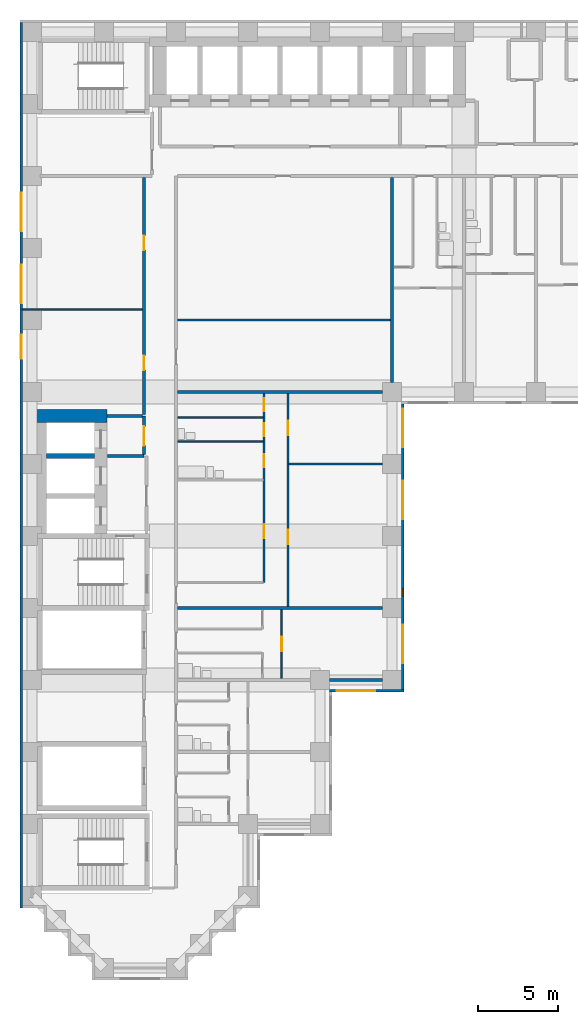
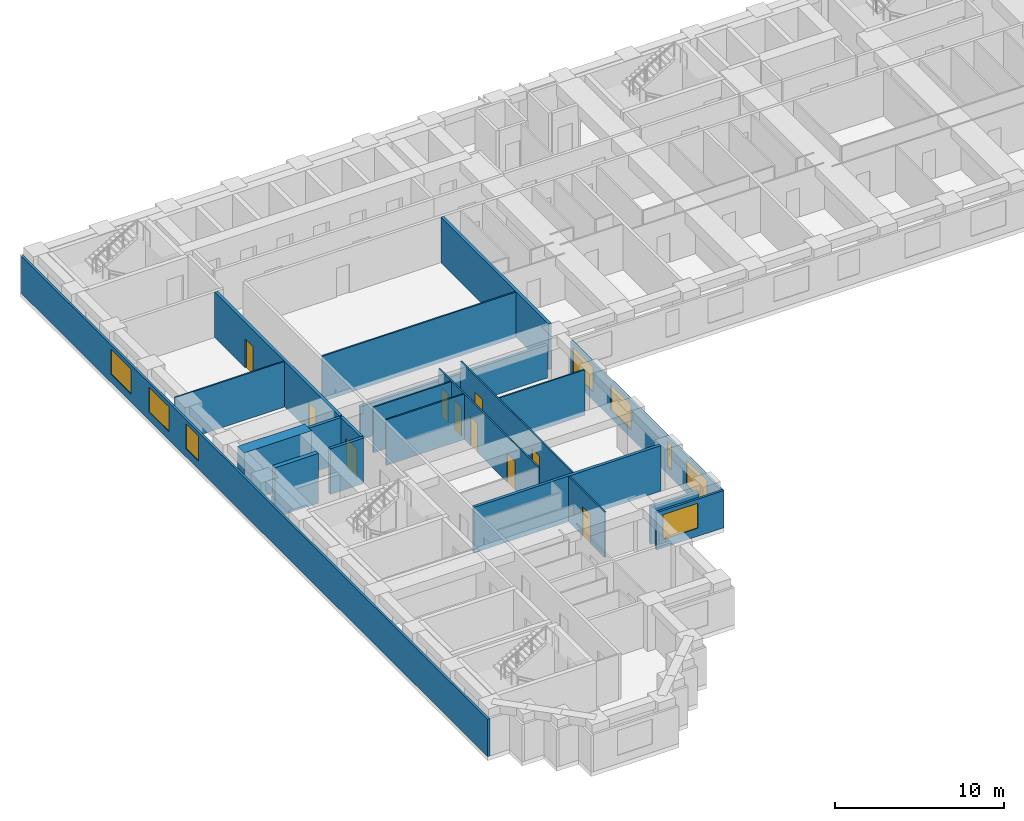
# One storey, part 4 of 12: 21 walls, 10 doors, 8 windows, 18 openings.
"""IFC4 building model written with IfcOpenShell, lengths in metres."""

import ifcopenshell
import ifcopenshell.guid

model = None  # the IFC model being written
_history = None  # IfcOwnerHistory: only IFC2X3 demands one
_inside = {}  # id of a spatial element -> (the spatial element, [elements in it])
_under = {}  # id of a project, library or spatial element -> (it, [spatial elements below it])
_declared = {}  # id of a project -> (the project, [libraries it declares])
_typed = {}  # id of a type object -> (the type object, [elements of that type])
_made_of = {}  # id of a material, layer set ... -> (it, [elements and type objects made of it])


def new_model(schema):
    """Start an empty IFC model of exactly this schema.

    Asked for "IFC4X3", IfcOpenShell would pick the latest addendum, in which some entities
    have other attributes; the version numbers below select the first issue.
    IFC2X3 requires an IfcOwnerHistory on every rooted entity: one is made here for all.
    """
    global model, _history
    if schema == "IFC4X3":
        model = ifcopenshell.file(schema_version=(4, 3, 0, 0))
    else:
        model = ifcopenshell.file(schema=schema)
    _inside.clear()
    _under.clear()
    _declared.clear()
    _typed.clear()
    _made_of.clear()
    _history = None
    if model.schema == "IFC2X3":
        org = make("IfcOrganization", Name="unknown")
        user = make(
            "IfcPersonAndOrganization",
            ThePerson=make("IfcPerson", FamilyName="unknown"),
            TheOrganization=org,
        )
        app = make(
            "IfcApplication",
            ApplicationDeveloper=org,
            Version="unknown",
            ApplicationFullName="unknown",
            ApplicationIdentifier="unknown",
        )
        _history = make(
            "IfcOwnerHistory",
            OwningUser=user,
            OwningApplication=app,
            ChangeAction="ADDED",
            CreationDate=0,
        )
    return model


def make(cls, **values):
    """One entity of the class cls with the attributes given. An attribute that is None is left unset."""
    return model.create_entity(
        cls, **{name: value for name, value in values.items() if value is not None}
    )


def rooted(cls, **values):
    """An entity with a GlobalId (a new one), such as an element, a storey or a relation."""
    return make(cls, GlobalId=ifcopenshell.guid.new(), OwnerHistory=_history, **values)


def si_unit(unit_type, name, prefix=None):
    """IfcSIUnit, for example si_unit("LENGTHUNIT", "METRE", prefix="MILLI")."""
    return make("IfcSIUnit", UnitType=unit_type, Prefix=prefix, Name=name)


def assignment(units):
    """IfcUnitAssignment: the units of a project."""
    return None if units is None else make("IfcUnitAssignment", Units=units)


def point(xyz):
    """IfcCartesianPoint."""
    return None if xyz is None else make("IfcCartesianPoint", Coordinates=xyz)


def direction(xyz):
    """IfcDirection."""
    return None if xyz is None else make("IfcDirection", DirectionRatios=xyz)


def frame(location, z_axis=None, x_axis=None):
    """IfcAxis2Placement3D, a coordinate frame: its origin and axes. An axis left out is left unset."""
    return make(
        "IfcAxis2Placement3D",
        Location=point(location),
        Axis=direction(z_axis),
        RefDirection=direction(x_axis),
    )


def frame_2d(location, x_axis=None):
    """IfcAxis2Placement2D, a coordinate frame in the plane: its origin and x axis."""
    return make(
        "IfcAxis2Placement2D", Location=point(location), RefDirection=direction(x_axis)
    )


def origin():
    """The frame at (0, 0, 0) with its axes left unset."""
    return frame((0.0, 0.0, 0.0))


def place(relative_to, where):
    """IfcLocalPlacement: puts the frame where relative to a parent placement (None: the world)."""
    return make(
        "IfcLocalPlacement", PlacementRelTo=relative_to, RelativePlacement=where
    )


def context(
    kind, dimensions, precision=None, world=None, true_north=None, identifier=None
):
    """IfcGeometricRepresentationContext, for example the 3D "Model" context."""
    return make(
        "IfcGeometricRepresentationContext",
        ContextIdentifier=identifier,
        ContextType=kind,
        CoordinateSpaceDimension=dimensions,
        Precision=precision,
        WorldCoordinateSystem=world,
        TrueNorth=true_north,
    )


def subcontext(parent, identifier, kind, view, scale=None):
    """IfcGeometricRepresentationSubContext, for example "Body" below "Model"."""
    return make(
        "IfcGeometricRepresentationSubContext",
        ContextIdentifier=identifier,
        ContextType=kind,
        ParentContext=parent,
        TargetScale=scale,
        TargetView=view,
    )


def project(units=None, contexts=None):
    """IfcProject with its units and contexts."""
    return rooted(
        "IfcProject",
        Name="project",
        RepresentationContexts=contexts,
        UnitsInContext=assignment(units),
    )


def spatial(cls, under=None, at=None, **own):
    """A site, building, storey or space (cls), placed at a placement, below another one or the project."""
    s = rooted(cls, ObjectPlacement=at, **own)
    if under is not None:
        _under.setdefault(under.id(), (under, []))[1].append(s)
    return s


def profile(cls, at=None, kind="AREA", **sizes):
    """A parametric profile (cls). Its sizes go by their IFC names, for example OverallWidth=200.0."""
    return make(cls, ProfileType=kind, Position=at, **sizes)


def rectangle(**sizes):
    """IfcRectangleProfileDef."""
    return profile("IfcRectangleProfileDef", **sizes)


def extrude(swept, where, along, depth):
    """IfcExtrudedAreaSolid: the profile swept, set in the frame where, extruded along a direction by depth."""
    return make(
        "IfcExtrudedAreaSolid",
        SweptArea=swept,
        Position=where,
        ExtrudedDirection=direction(along),
        Depth=depth,
    )


def shape(context_of_items, identifier, shape_type, items):
    """IfcShapeRepresentation: the items that make up one representation, for example the "Body"."""
    return make(
        "IfcShapeRepresentation",
        ContextOfItems=context_of_items,
        RepresentationIdentifier=identifier,
        RepresentationType=shape_type,
        Items=items,
    )


def material(Name=None, Category=None):
    """IfcMaterial."""
    return make("IfcMaterial", Name=Name, Category=Category)


def layer(
    of_material, thickness, ventilated=None, Name=None, Category=None, Priority=None
):
    """IfcMaterialLayer: one layer of a wall or slab, of a material (None: an air gap)."""
    return make(
        "IfcMaterialLayer",
        Material=of_material,
        LayerThickness=thickness,
        IsVentilated=ventilated,
        Name=Name,
        Category=Category,
        Priority=Priority,
    )


def layer_set(layers, Name=None):
    """IfcMaterialLayerSet."""
    return make("IfcMaterialLayerSet", MaterialLayers=layers, LayerSetName=Name)


def made_of(thing, what):
    """Note that an element or type object is made of a material, layer set ...; save() writes the relation."""
    if what is not None:
        _made_of.setdefault(what.id(), (what, []))[1].append(thing)
    return thing


def type_object(cls, material=None, **own):
    """A type object (cls), such as IfcWallType, which elements share."""
    return made_of(rooted(cls, **own), material)


def element(
    cls,
    number,
    at=None,
    inside=None,
    cuts=None,
    type_object=None,
    material=None,
    context=None,
    identifier="Body",
    shape_type=None,
    held_by="IfcProductDefinitionShape",
    body=None,
    shapes=None,
    **own,
):
    """One element of the class cls, such as IfcWall. Its Tag is "e" and its number.

    at: its placement. inside: the storey or other place that contains it. cuts: it is an
    opening in that element (IfcRelVoidsElement). A single representation is given by context,
    identifier, shape_type and body (its items); several are given by shapes. held_by: the class
    of the entity that holds the representations. save() writes the other relations.
    """
    e = rooted(cls, Tag="e%d" % number, ObjectPlacement=at, **own)
    if body is not None:
        shapes = [shape(context, identifier, shape_type, body)]
    if shapes is not None:
        e.Representation = make(held_by, Representations=shapes)
    if inside is not None:
        _inside.setdefault(inside.id(), (inside, []))[1].append(e)
    if cuts is not None:
        rooted(
            "IfcRelVoidsElement", RelatingBuildingElement=cuts, RelatedOpeningElement=e
        )
    if type_object is not None:
        _typed.setdefault(type_object.id(), (type_object, []))[1].append(e)
    return made_of(e, material)


def fill(opening, filler):
    """IfcRelFillsElement: the door or window that sits in an opening."""
    return rooted(
        "IfcRelFillsElement",
        RelatingOpeningElement=opening,
        RelatedBuildingElement=filler,
    )


def aggregate(whole, parts):
    """IfcRelAggregates: a whole, such as a stair, and the parts it consists of."""
    return rooted("IfcRelAggregates", RelatingObject=whole, RelatedObjects=parts)


def save(model, path):
    """Write the relations noted so far, then the file.

    IfcRelAggregates (storeys below a building ...), IfcRelContainedInSpatialStructure (elements
    in a storey), IfcRelDefinesByType, IfcRelAssociatesMaterial and IfcRelDeclares: one each for
    every whole, place, type object, material and project.
    """
    for whole, parts in _under.values():
        aggregate(whole, parts)
    for where, things in _inside.values():
        rooted(
            "IfcRelContainedInSpatialStructure",
            RelatedElements=things,
            RelatingStructure=where,
        )
    for kind, things in _typed.values():
        rooted("IfcRelDefinesByType", RelatedObjects=things, RelatingType=kind)
    for what, things in _made_of.values():
        rooted("IfcRelAssociatesMaterial", RelatedObjects=things, RelatingMaterial=what)
    for by, libraries in _declared.values():
        rooted("IfcRelDeclares", RelatingContext=by, RelatedDefinitions=libraries)
    model.write(path)


model = new_model("IFC4")

# Units and contexts
model_context = context("Model", 3, precision=1e-05, world=origin(), true_north=direction((0.0, 1.0)))
body_context = subcontext(model_context, "Body", "Model", "MODEL_VIEW")
ifc_project = project(units=[si_unit("LENGTHUNIT", "METRE"), si_unit("AREAUNIT", "SQUARE_METRE"), si_unit("VOLUMEUNIT", "CUBIC_METRE"), si_unit("PLANEANGLEUNIT", "RADIAN"), si_unit("MASSUNIT", "GRAM", prefix="KILO")], contexts=[model_context])

# Site, building, storey
site_placement = place(None, origin())
site = spatial("IfcSite", under=ifc_project, at=site_placement, CompositionType="ELEMENT")
building_placement = place(site_placement, origin())
building = spatial("IfcBuilding", under=site, at=building_placement, Name="Firuza Court", CompositionType="ELEMENT")
storey_placement = place(building_placement, frame((0.0, 0.0, 39.800048828125)))
storey = spatial("IfcBuildingStorey", under=building, at=storey_placement, Name="L08", CompositionType="ELEMENT", Elevation=39.800048828125)

# Walls
ifc_material_1 = material(Name="Moisture-resistant gypsum board partition")
ifc_layer_1 = layer(ifc_material_1, 0.10009765625)
ifc_layer_set_1 = layer_set([ifc_layer_1], Name="Moisture-resistant gypsum board partition")
wall_type_1 = type_object("IfcWallType", Name="Bathroom partition 100", PredefinedType="PLUMBINGWALL", material=ifc_layer_set_1)
for number, where, z_axis, x_axis, name in (
    (1, (9.10009765625, 32.89990234375, 0.0), (0.0, 0.0, 1.0), (1.0, 0.0, 0.0), "Bathroom partition 100 L08"),
    (2, (9.10009765625, 34.39990234375, 0.0), (0.0, 0.0, 1.0), (1.0, 0.0, 0.0), "Bathroom partition 100 L08"),
):
    element("IfcWall", number, at=place(storey_placement, frame(where, z_axis=z_axis, x_axis=x_axis)), inside=storey, type_object=wall_type_1, Name=name, PredefinedType="PLUMBINGWALL", context=body_context, shape_type="SweptSolid", body=[
        extrude(rectangle(XDim=5.349853515625, YDim=0.10009765625, at=frame_2d((2.6748046875, 0.0))), origin(), (0.0, 0.0, 1.0), 3.300048828125),
    ])
ifc_material_2 = material(Name="Concrete C60/75", Category="concrete")
ifc_layer_2 = layer(ifc_material_2, 0.300048828125)
ifc_layer_set_2 = layer_set([ifc_layer_2], Name="Concrete C60/75")
wall_type_2 = type_object("IfcWallType", Name="Core wall 300 C60/75", PredefinedType="SHEAR", material=ifc_layer_set_2)
wall_1_placement = place(storey_placement, frame((0.89990234375, 32.0, -0.300048828125), z_axis=(0.0, 0.0, 1.0), x_axis=(1.0, 0.0, 0.0)))
element("IfcWall", 3, at=wall_1_placement, inside=storey, type_object=wall_type_2, Name="Core wall lift shaft L08", PredefinedType="SHEAR", context=body_context, shape_type="SweptSolid", body=[
    extrude(rectangle(XDim=3.0, YDim=0.300048828125, at=frame_2d((1.5, 0.0))), origin(), (0.0, 0.0, 1.0), 3.60009765625),
])
ifc_layer_3 = layer(ifc_material_2, 0.800048828125)
ifc_layer_set_3 = layer_set([ifc_layer_3], Name="Concrete C60/75")
wall_type_3 = type_object("IfcWallType", Name="Core wall 800 C60/75", PredefinedType="SHEAR", material=ifc_layer_set_3)
wall_2_placement = place(storey_placement, frame((0.10009765625, 34.5, -0.300048828125), z_axis=(0.0, 0.0, 1.0), x_axis=(1.0, 0.0, 0.0)))
element("IfcWall", 4, at=wall_2_placement, inside=storey, type_object=wall_type_3, Name="Core wall lift shaft L08", PredefinedType="SHEAR", context=body_context, shape_type="SweptSolid", body=[
    extrude(rectangle(XDim=4.599853515625, YDim=0.800048828125, at=frame_2d((2.2998046875, 0.0))), origin(), (0.0, 0.0, 1.0), 3.60009765625),
])

# Wall, openings, doors
ifc_material_3 = material(Name="Blockwork, plastered both sides", Category="masonry")
ifc_layer_4 = layer(ifc_material_3, 0.199951171875)
ifc_layer_set_4 = layer_set([ifc_layer_4], Name="Blockwork, plastered both sides")
wall_type_4 = type_object("IfcWallType", Name="Corridor wall 200", PredefinedType="PARTITIONING", material=ifc_layer_set_4)
wall_3_placement = place(storey_placement, frame((7.0, 34.60009765625, 0.0), z_axis=(0.0, 0.0, 1.0), x_axis=(0.0, 1.0, 0.0)))
wall_3 = element("IfcWall", 5, at=wall_3_placement, inside=storey, type_object=wall_type_4, Name="Corridor wall 200 L08", PredefinedType="PARTITIONING", context=body_context, shape_type="SweptSolid", body=[
    extrude(rectangle(XDim=14.7998046875, YDim=0.199951171875, at=frame_2d((7.39990234375, 0.0))), origin(), (0.0, 0.0, 1.0), 3.300048828125),
])
opening_1_placement = place(wall_3_placement, frame((2.77490234375, 0.0, 0.0)))
opening_1 = element("IfcOpeningElement", 6, at=opening_1_placement, cuts=wall_3, Name="Opening D08041", PredefinedType="OPENING", context=body_context, shape_type="SweptSolid", body=[
    extrude(rectangle(XDim=0.89990234375, YDim=2.10009765625, at=frame_2d((0.449951171875, 1.050048828125))), frame((0.0, 0.11181640625, 0.0), z_axis=(0.0, -1.0, 0.0), x_axis=(1.0, 0.0, 0.0)), (0.0, 0.0, 1.0), 0.223876953125),
])
opening_2_placement = place(wall_3_placement, frame((10.27490234375, 0.0, 0.0)))
opening_2 = element("IfcOpeningElement", 7, at=opening_2_placement, cuts=wall_3, Name="Opening D08042", PredefinedType="OPENING", context=body_context, shape_type="SweptSolid", body=[
    extrude(rectangle(XDim=0.89990234375, YDim=2.10009765625, at=frame_2d((0.449951171875, 1.050048828125))), frame((0.0, 0.11181640625, 0.0), z_axis=(0.0, -1.0, 0.0), x_axis=(1.0, 0.0, 0.0)), (0.0, 0.0, 1.0), 0.223876953125),
])
ifc_material_4 = material(Name="Timber door leaf in hardwood frame", Category="wood")
door_type_1 = type_object("IfcDoorType", Name="Room door 900 EI 30", OperationType="SINGLE_SWING_LEFT", PredefinedType="DOOR", material=ifc_material_4)
door_1_placement = place(opening_1_placement, origin())
door_1 = element("IfcDoor", 8, at=door_1_placement, inside=storey, type_object=door_type_1, Name="Meeting room door", OperationType="SINGLE_SWING_LEFT", OverallHeight=2.10009765625, OverallWidth=0.89990234375, PredefinedType="DOOR", context=body_context, shape_type="SweptSolid", body=[
    extrude(rectangle(XDim=0.89990234375, YDim=2.10009765625, at=frame_2d((0.449951171875, 1.050048828125))), frame((0.0, 0.02490234375, 0.0), z_axis=(0.0, -1.0, 0.0), x_axis=(1.0, 0.0, 0.0)), (0.0, 0.0, 1.0), 0.050048828125),
])
fill(opening_1, door_1)
door_2_placement = place(opening_2_placement, origin())
door_2 = element("IfcDoor", 9, at=door_2_placement, inside=storey, type_object=door_type_1, Name="Meeting room door", OperationType="SINGLE_SWING_LEFT", OverallHeight=2.10009765625, OverallWidth=0.89990234375, PredefinedType="DOOR", context=body_context, shape_type="SweptSolid", body=[
    extrude(rectangle(XDim=0.89990234375, YDim=2.10009765625, at=frame_2d((0.449951171875, 1.050048828125))), frame((0.0, 0.02490234375, 0.0), z_axis=(0.0, -1.0, 0.0), x_axis=(1.0, 0.0, 0.0)), (0.0, 0.0, 1.0), 0.050048828125),
])
fill(opening_2, door_2)

# Wall, opening, door
ifc_material_5 = material(Name="Timber stud partition, plasterboard both sides", Category="wood")
ifc_layer_5 = layer(ifc_material_5, 0.10009765625)
ifc_layer_set_5 = layer_set([ifc_layer_5], Name="Timber stud partition, plasterboard both sides")
wall_type_5 = type_object("IfcWallType", Name="Partition wall 100", PredefinedType="PARTITIONING", material=ifc_layer_set_5)
wall_4_placement = place(storey_placement, frame((15.60009765625, 18.10009765625, 0.0), z_axis=(0.0, 0.0, 1.0), x_axis=(0.0, 1.0, 0.0)))
wall_4 = element("IfcWall", 10, at=wall_4_placement, inside=storey, type_object=wall_type_5, Name="Partition wall 100 L08", PredefinedType="PARTITIONING", context=body_context, shape_type="SweptSolid", body=[
    extrude(rectangle(XDim=4.2998046875, YDim=0.10009765625, at=frame_2d((2.14990234375, 0.0))), origin(), (0.0, 0.0, 1.0), 3.300048828125),
])
opening_3_placement = place(wall_4_placement, frame((1.699951171875, 0.0, 0.0)))
opening_3 = element("IfcOpeningElement", 11, at=opening_3_placement, cuts=wall_4, Name="Opening D08033", PredefinedType="OPENING", context=body_context, shape_type="SweptSolid", body=[
    extrude(rectangle(XDim=0.89990234375, YDim=2.10009765625, at=frame_2d((0.449951171875, 1.050048828125))), frame((0.0, 0.06201171875, 0.0), z_axis=(0.0, -1.0, 0.0), x_axis=(1.0, 0.0, 0.0)), (0.0, 0.0, 1.0), 0.1240234375),
])
ifc_material_6 = material(Name="Timber door leaf in hardwood frame", Category="wood")
door_type_2 = type_object("IfcDoorType", Name="Room door 900", OperationType="SINGLE_SWING_LEFT", PredefinedType="DOOR", material=ifc_material_6)
door_3_placement = place(opening_3_placement, frame((0.89990234375, 0.0, 0.0), z_axis=(0.0, 0.0, 1.0), x_axis=(-1.0, 0.0, 0.0)))
door_3 = element("IfcDoor", 12, at=door_3_placement, inside=storey, type_object=door_type_2, Name="Studio room door", OperationType="SINGLE_SWING_RIGHT", OverallHeight=2.10009765625, OverallWidth=0.89990234375, PredefinedType="DOOR", context=body_context, shape_type="SweptSolid", body=[
    extrude(rectangle(XDim=0.89990234375, YDim=2.10009765625, at=frame_2d((0.449951171875, 1.050048828125))), frame((0.0, 0.02490234375, 0.0), z_axis=(0.0, -1.0, 0.0), x_axis=(1.0, 0.0, 0.0)), (0.0, 0.0, 1.0), 0.050048828125),
])
fill(opening_3, door_3)

# Wall, openings, doors
wall_5_placement = place(storey_placement, frame((16.0, 22.60009765625, 0.0), z_axis=(0.0, 0.0, 1.0), x_axis=(0.0, 1.0, 0.0)))
wall_5 = element("IfcWall", 13, at=wall_5_placement, inside=storey, type_object=wall_type_5, Name="Partition wall 100 L08", PredefinedType="PARTITIONING", context=body_context, shape_type="SweptSolid", body=[
    extrude(rectangle(XDim=13.2998046875, YDim=0.10009765625, at=frame_2d((6.64990234375, 0.0))), origin(), (0.0, 0.0, 1.0), 3.300048828125),
])
opening_4_placement = place(wall_5_placement, frame((3.89990234375, 0.0, 0.0)))
opening_4 = element("IfcOpeningElement", 14, at=opening_4_placement, cuts=wall_5, Name="Opening D08035", PredefinedType="OPENING", context=body_context, shape_type="SweptSolid", body=[
    extrude(rectangle(XDim=0.89990234375, YDim=2.10009765625, at=frame_2d((0.449951171875, 1.050048828125))), frame((0.0, 0.06201171875, 0.0), z_axis=(0.0, -1.0, 0.0), x_axis=(1.0, 0.0, 0.0)), (0.0, 0.0, 1.0), 0.1240234375),
])
opening_5_placement = place(wall_5_placement, frame((10.699951171875, 0.0, 0.0)))
opening_5 = element("IfcOpeningElement", 15, at=opening_5_placement, cuts=wall_5, Name="Opening D08036", PredefinedType="OPENING", context=body_context, shape_type="SweptSolid", body=[
    extrude(rectangle(XDim=0.89990234375, YDim=2.10009765625, at=frame_2d((0.449951171875, 1.050048828125))), frame((0.0, 0.06201171875, 0.0), z_axis=(0.0, -1.0, 0.0), x_axis=(1.0, 0.0, 0.0)), (0.0, 0.0, 1.0), 0.1240234375),
])
door_4_placement = place(opening_4_placement, frame((0.89990234375, 0.0, 0.0), z_axis=(0.0, 0.0, 1.0), x_axis=(-1.0, 0.0, 0.0)))
door_4 = element("IfcDoor", 16, at=door_4_placement, inside=storey, type_object=door_type_2, Name="Living room door", OperationType="SINGLE_SWING_RIGHT", OverallHeight=2.10009765625, OverallWidth=0.89990234375, PredefinedType="DOOR", context=body_context, shape_type="SweptSolid", body=[
    extrude(rectangle(XDim=0.89990234375, YDim=2.10009765625, at=frame_2d((0.449951171875, 1.050048828125))), frame((0.0, 0.02490234375, 0.0), z_axis=(0.0, -1.0, 0.0), x_axis=(1.0, 0.0, 0.0)), (0.0, 0.0, 1.0), 0.050048828125),
])
fill(opening_4, door_4)
door_5_placement = place(opening_5_placement, frame((0.89990234375, 0.0, 0.0), z_axis=(0.0, 0.0, 1.0), x_axis=(-1.0, 0.0, 0.0)))
door_5 = element("IfcDoor", 17, at=door_5_placement, inside=storey, type_object=door_type_2, Name="Bedroom door", OperationType="SINGLE_SWING_RIGHT", OverallHeight=2.10009765625, OverallWidth=0.89990234375, PredefinedType="DOOR", context=body_context, shape_type="SweptSolid", body=[
    extrude(rectangle(XDim=0.89990234375, YDim=2.10009765625, at=frame_2d((0.449951171875, 1.050048828125))), frame((0.0, 0.02490234375, 0.0), z_axis=(0.0, -1.0, 0.0), x_axis=(1.0, 0.0, 0.0)), (0.0, 0.0, 1.0), 0.050048828125),
])
fill(opening_5, door_5)

wall_6_placement = place(storey_placement, frame((14.5, 24.10009765625, 0.0), z_axis=(0.0, 0.0, 1.0), x_axis=(0.0, 1.0, 0.0)))
wall_6 = element("IfcWall", 18, at=wall_6_placement, inside=storey, type_object=wall_type_5, Name="Partition wall 100 L08", PredefinedType="PARTITIONING", context=body_context, shape_type="SweptSolid", body=[
    extrude(rectangle(XDim=11.7998046875, YDim=0.10009765625, at=frame_2d((5.89990234375, 0.0))), origin(), (0.0, 0.0, 1.0), 3.300048828125),
])
opening_6_placement = place(wall_6_placement, frame((7.199951171875, 0.0, 0.0)))
opening_6 = element("IfcOpeningElement", 19, at=opening_6_placement, cuts=wall_6, Name="Opening D08037", PredefinedType="OPENING", context=body_context, shape_type="SweptSolid", body=[
    extrude(rectangle(XDim=0.800048828125, YDim=2.10009765625, at=frame_2d((0.39990234375, 1.050048828125))), frame((0.0, 0.06201171875, 0.0), z_axis=(0.0, -1.0, 0.0), x_axis=(1.0, 0.0, 0.0)), (0.0, 0.0, 1.0), 0.1240234375),
])
opening_7_placement = place(wall_6_placement, frame((2.75, 0.0, 0.0)))
opening_7 = element("IfcOpeningElement", 20, at=opening_7_placement, cuts=wall_6, Name="Opening D08038", PredefinedType="OPENING", context=body_context, shape_type="SweptSolid", body=[
    extrude(rectangle(XDim=0.89990234375, YDim=2.10009765625, at=frame_2d((0.449951171875, 1.050048828125))), frame((0.0, 0.06201171875, 0.0), z_axis=(0.0, -1.0, 0.0), x_axis=(1.0, 0.0, 0.0)), (0.0, 0.0, 1.0), 0.1240234375),
])
opening_8_placement = place(wall_6_placement, frame((10.699951171875, 0.0, 0.0)))
opening_8 = element("IfcOpeningElement", 21, at=opening_8_placement, cuts=wall_6, Name="Opening D08039", PredefinedType="OPENING", context=body_context, shape_type="SweptSolid", body=[
    extrude(rectangle(XDim=0.800048828125, YDim=2.10009765625, at=frame_2d((0.39990234375, 1.050048828125))), frame((0.0, 0.06201171875, 0.0), z_axis=(0.0, -1.0, 0.0), x_axis=(1.0, 0.0, 0.0)), (0.0, 0.0, 1.0), 0.1240234375),
])
opening_9_placement = place(wall_6_placement, frame((9.14990234375, 0.0, 0.0)))
opening_9 = element("IfcOpeningElement", 22, at=opening_9_placement, cuts=wall_6, Name="Opening D08040", PredefinedType="OPENING", context=body_context, shape_type="SweptSolid", body=[
    extrude(rectangle(XDim=0.800048828125, YDim=2.10009765625, at=frame_2d((0.39990234375, 1.050048828125))), frame((0.0, 0.06201171875, 0.0), z_axis=(0.0, -1.0, 0.0), x_axis=(1.0, 0.0, 0.0)), (0.0, 0.0, 1.0), 0.1240234375),
])
ifc_material_7 = material(Name="Timber door leaf in hardwood frame", Category="wood")
door_type_3 = type_object("IfcDoorType", Name="Bathroom door 800", OperationType="SINGLE_SWING_LEFT", PredefinedType="DOOR", material=ifc_material_7)
door_6_placement = place(opening_6_placement, origin())
door_6 = element("IfcDoor", 23, at=door_6_placement, inside=storey, type_object=door_type_3, Name="Bathroom door", OperationType="SINGLE_SWING_LEFT", OverallHeight=2.10009765625, OverallWidth=0.800048828125, PredefinedType="DOOR", context=body_context, shape_type="SweptSolid", body=[
    extrude(rectangle(XDim=0.800048828125, YDim=2.10009765625, at=frame_2d((0.39990234375, 1.050048828125))), frame((0.0, 0.02490234375, 0.0), z_axis=(0.0, -1.0, 0.0), x_axis=(1.0, 0.0, 0.0)), (0.0, 0.0, 1.0), 0.050048828125),
])
fill(opening_6, door_6)
door_7_placement = place(opening_9_placement, origin())
door_7 = element("IfcDoor", 24, at=door_7_placement, inside=storey, type_object=door_type_3, Name="Powder room door", OperationType="SINGLE_SWING_LEFT", OverallHeight=2.10009765625, OverallWidth=0.800048828125, PredefinedType="DOOR", context=body_context, shape_type="SweptSolid", body=[
    extrude(rectangle(XDim=0.800048828125, YDim=2.10009765625, at=frame_2d((0.39990234375, 1.050048828125))), frame((0.0, 0.02490234375, 0.0), z_axis=(0.0, -1.0, 0.0), x_axis=(1.0, 0.0, 0.0)), (0.0, 0.0, 1.0), 0.050048828125),
])
fill(opening_9, door_7)
ifc_material_8 = material(Name="Timber door leaf in hardwood frame", Category="wood")
door_type_4 = type_object("IfcDoorType", Name="Room door 800", OperationType="SINGLE_SWING_LEFT", PredefinedType="DOOR", material=ifc_material_8)
door_8_placement = place(opening_8_placement, origin())
door_8 = element("IfcDoor", 25, at=door_8_placement, inside=storey, type_object=door_type_4, Name="Store door", OperationType="SINGLE_SWING_LEFT", OverallHeight=2.10009765625, OverallWidth=0.800048828125, PredefinedType="DOOR", context=body_context, shape_type="SweptSolid", body=[
    extrude(rectangle(XDim=0.800048828125, YDim=2.10009765625, at=frame_2d((0.39990234375, 1.050048828125))), frame((0.0, 0.02490234375, 0.0), z_axis=(0.0, -1.0, 0.0), x_axis=(1.0, 0.0, 0.0)), (0.0, 0.0, 1.0), 0.050048828125),
])
fill(opening_8, door_8)
door_9_placement = place(opening_7_placement, origin())
door_9 = element("IfcDoor", 26, at=door_9_placement, inside=storey, type_object=door_type_2, Name="Kitchen door", OperationType="SINGLE_SWING_LEFT", OverallHeight=2.10009765625, OverallWidth=0.89990234375, PredefinedType="DOOR", context=body_context, shape_type="SweptSolid", body=[
    extrude(rectangle(XDim=0.89990234375, YDim=2.10009765625, at=frame_2d((0.449951171875, 1.050048828125))), frame((0.0, 0.02490234375, 0.0), z_axis=(0.0, -1.0, 0.0), x_axis=(1.0, 0.0, 0.0)), (0.0, 0.0, 1.0), 0.050048828125),
])
fill(opening_7, door_9)

# Walls
wall_7_placement = place(storey_placement, frame((16.050048828125, 31.5, 0.0), z_axis=(0.0, 0.0, 1.0), x_axis=(1.0, 0.0, 0.0)))
element("IfcWall", 27, at=wall_7_placement, inside=storey, type_object=wall_type_5, Name="Partition wall 100 L08", PredefinedType="PARTITIONING", context=body_context, shape_type="SweptSolid", body=[
    extrude(rectangle(XDim=5.849853515625, YDim=0.10009765625, at=frame_2d((2.9248046875, 0.0))), origin(), (0.0, 0.0, 1.0), 3.300048828125),
])
wall_8_placement = place(storey_placement, frame((9.10009765625, 40.5, 0.0), z_axis=(0.0, 0.0, 1.0), x_axis=(1.0, 0.0, 0.0)))
element("IfcWall", 28, at=wall_8_placement, inside=storey, type_object=wall_type_5, Name="Partition wall 100 L08", PredefinedType="PARTITIONING", context=body_context, shape_type="SweptSolid", body=[
    extrude(rectangle(XDim=13.2998046875, YDim=0.10009765625, at=frame_2d((6.64990234375, 0.0))), origin(), (0.0, 0.0, 1.0), 3.300048828125),
])
wall_9_placement = place(storey_placement, frame((-0.60009765625, 41.14990234375, 0.0), z_axis=(0.0, 0.0, 1.0), x_axis=(1.0, 0.0, 0.0)))
element("IfcWall", 29, at=wall_9_placement, inside=storey, type_object=wall_type_5, Name="Partition wall 100 L08", PredefinedType="PARTITIONING", context=body_context, shape_type="SweptSolid", body=[
    extrude(rectangle(XDim=7.5, YDim=0.10009765625, at=frame_2d((3.75, 0.0))), origin(), (0.0, 0.0, 1.0), 3.300048828125),
])
ifc_layer_6 = layer(ifc_material_3, 0.199951171875)
ifc_layer_set_6 = layer_set([ifc_layer_6], Name="Blockwork, plastered both sides")
wall_type_6 = type_object("IfcWallType", Name="Party wall 200", PredefinedType="PARTITIONING", material=ifc_layer_set_6)
wall_10_placement = place(storey_placement, frame((18.60009765625, 18.0, 0.0), z_axis=(0.0, 0.0, 1.0), x_axis=(1.0, 0.0, 0.0)))
element("IfcWall", 30, at=wall_10_placement, inside=storey, type_object=wall_type_6, Name="Party wall 200 L08", PredefinedType="PARTITIONING", context=body_context, shape_type="SweptSolid", body=[
    extrude(rectangle(XDim=3.2998046875, YDim=0.199951171875, at=frame_2d((1.64990234375, 0.0))), origin(), (0.0, 0.0, 1.0), 2.699951171875),
])
wall_11_placement = place(storey_placement, frame((9.10009765625, 22.5, 0.0), z_axis=(0.0, 0.0, 1.0), x_axis=(1.0, 0.0, 0.0)))
element("IfcWall", 31, at=wall_11_placement, inside=storey, type_object=wall_type_6, Name="Party wall 200 L08", PredefinedType="PARTITIONING", context=body_context, shape_type="SweptSolid", body=[
    extrude(rectangle(XDim=12.7998046875, YDim=0.199951171875, at=frame_2d((6.39990234375, 0.0))), origin(), (0.0, 0.0, 1.0), 3.300048828125),
])
wall_12_placement = place(storey_placement, frame((9.10009765625, 36.0, 0.0), z_axis=(0.0, 0.0, 1.0), x_axis=(1.0, 0.0, 0.0)))
element("IfcWall", 32, at=wall_12_placement, inside=storey, type_object=wall_type_6, Name="Party wall 200 L08", PredefinedType="PARTITIONING", context=body_context, shape_type="SweptSolid", body=[
    extrude(rectangle(XDim=12.7998046875, YDim=0.199951171875, at=frame_2d((6.39990234375, 0.0))), origin(), (0.0, 0.0, 1.0), 2.39990234375),
])
wall_13_placement = place(storey_placement, frame((22.5, 36.60009765625, 0.0), z_axis=(0.0, 0.0, 1.0), x_axis=(0.0, 1.0, 0.0)))
element("IfcWall", 33, at=wall_13_placement, inside=storey, type_object=wall_type_6, Name="Party wall 200 L08", PredefinedType="PARTITIONING", context=body_context, shape_type="SweptSolid", body=[
    extrude(rectangle(XDim=12.7998046875, YDim=0.199951171875, at=frame_2d((6.39990234375, 0.0))), origin(), (0.0, 0.0, 1.0), 3.300048828125),
])

# Wall, opening, window
ifc_material_9 = material(Name="Ceramic tile", Category="ceramic")
ifc_layer_7 = layer(ifc_material_9, 0.02001953125)
ifc_material_10 = material(Name="Mineral wool insulation", Category="insulation")
ifc_layer_8 = layer(ifc_material_10, 0.050048828125)
ifc_material_11 = material(Name="Concrete C40/50 precast", Category="concrete")
ifc_layer_9 = layer(ifc_material_11, 0.080078125)
ifc_layer_set_7 = layer_set([ifc_layer_7, ifc_layer_8, ifc_layer_9], Name="Concrete C40/50 precast")
wall_type_7 = type_object("IfcWallType", Name="Precast cladding wall with turquoise TILE PANEL face 150", PredefinedType="STANDARD", material=ifc_layer_set_7)
wall_14_placement = place(storey_placement, frame((18.60009765625, 17.324951171875, 0.0), z_axis=(0.0, 0.0, 1.0), x_axis=(1.0, 0.0, 0.0)))
wall_14 = element("IfcWall", 34, at=wall_14_placement, inside=storey, type_object=wall_type_7, Name="Facade wall L08 S", PredefinedType="STANDARD", context=body_context, shape_type="SweptSolid", body=[
    extrude(rectangle(XDim=4.64990234375, YDim=0.14990234375, at=frame_2d((2.324951171875, 0.0))), origin(), (0.0, 0.0, 1.0), 2.699951171875),
])
opening_10_placement = place(wall_14_placement, frame((0.449951171875, 0.0, 0.60009765625)))
opening_10 = element("IfcOpeningElement", 35, at=opening_10_placement, cuts=wall_14, Name="Opening W1", PredefinedType="OPENING", context=body_context, shape_type="SweptSolid", body=[
    extrude(rectangle(XDim=2.39990234375, YDim=1.800048828125, at=frame_2d((1.199951171875, 0.89990234375))), frame((0.0, 0.0869140625, 0.0), z_axis=(0.0, -1.0, 0.0), x_axis=(1.0, 0.0, 0.0)), (0.0, 0.0, 1.0), 0.173828125),
])
ifc_material_12 = material(Name="Aluminium frame, triple clear glazing", Category="aluminium")
window_type_1 = type_object("IfcWindowType", Name="Window W1 2400 x 1800", PartitioningType="SINGLE_PANEL", PredefinedType="WINDOW", material=ifc_material_12)
window_1_placement = place(opening_10_placement, origin())
window_1 = element("IfcWindow", 36, at=window_1_placement, inside=storey, type_object=window_type_1, Name="Window L08", OverallHeight=1.800048828125, OverallWidth=2.39990234375, PartitioningType="SINGLE_PANEL", PredefinedType="WINDOW", context=body_context, shape_type="SweptSolid", body=[
    extrude(rectangle(XDim=2.39990234375, YDim=1.800048828125, at=frame_2d((1.199951171875, 0.89990234375))), frame((0.0, 0.030029296875, 0.0), z_axis=(0.0, -1.0, 0.0), x_axis=(1.0, 0.0, 0.0)), (0.0, 0.0, 1.0), 0.06005859375),
])
fill(opening_10, window_1)

# Wall, openings, windows
wall_15_placement = place(storey_placement, frame((23.175048828125, 17.39990234375, 0.0), z_axis=(0.0, 0.0, 1.0), x_axis=(0.0, 1.0, 0.0)))
wall_15 = element("IfcWall", 37, at=wall_15_placement, inside=storey, type_object=wall_type_7, Name="Facade wall L08 E", PredefinedType="STANDARD", context=body_context, shape_type="SweptSolid", body=[
    extrude(rectangle(XDim=17.85009765625, YDim=0.14990234375, at=frame_2d((8.925048828125, 0.0))), origin(), (0.0, 0.0, 1.0), 2.699951171875),
])
opening_11_placement = place(wall_15_placement, frame((1.64990234375, 0.0, 0.60009765625)))
opening_11 = element("IfcOpeningElement", 38, at=opening_11_placement, cuts=wall_15, Name="Opening W1", PredefinedType="OPENING", context=body_context, shape_type="SweptSolid", body=[
    extrude(rectangle(XDim=2.39990234375, YDim=1.800048828125, at=frame_2d((1.199951171875, 0.89990234375))), frame((0.0, 0.0869140625, 0.0), z_axis=(0.0, -1.0, 0.0), x_axis=(1.0, 0.0, 0.0)), (0.0, 0.0, 1.0), 0.173828125),
])
opening_12_placement = place(wall_15_placement, frame((5.8544921875, 0.0, 0.60009765625)))
opening_12 = element("IfcOpeningElement", 39, at=opening_12_placement, cuts=wall_15, Name="Opening W5", PredefinedType="OPENING", context=body_context, shape_type="SweptSolid", body=[
    extrude(rectangle(XDim=0.449951171875, YDim=1.800048828125, at=frame_2d((0.22509765625, 0.89990234375))), frame((0.0, 0.0869140625, 0.0), z_axis=(0.0, -1.0, 0.0), x_axis=(1.0, 0.0, 0.0)), (0.0, 0.0, 1.0), 0.173828125),
])
opening_13_placement = place(wall_15_placement, frame((10.64990234375, 0.0, 0.60009765625)))
opening_13 = element("IfcOpeningElement", 40, at=opening_13_placement, cuts=wall_15, Name="Opening W1", PredefinedType="OPENING", context=body_context, shape_type="SweptSolid", body=[
    extrude(rectangle(XDim=2.39990234375, YDim=1.800048828125, at=frame_2d((1.199951171875, 0.89990234375))), frame((0.0, 0.0869140625, 0.0), z_axis=(0.0, -1.0, 0.0), x_axis=(1.0, 0.0, 0.0)), (0.0, 0.0, 1.0), 0.173828125),
])
opening_14_placement = place(wall_15_placement, frame((15.14990234375, 0.0, 0.60009765625)))
opening_14 = element("IfcOpeningElement", 41, at=opening_14_placement, cuts=wall_15, Name="Opening W1", PredefinedType="OPENING", context=body_context, shape_type="SweptSolid", body=[
    extrude(rectangle(XDim=2.39990234375, YDim=1.800048828125, at=frame_2d((1.199951171875, 0.89990234375))), frame((0.0, 0.0869140625, 0.0), z_axis=(0.0, -1.0, 0.0), x_axis=(1.0, 0.0, 0.0)), (0.0, 0.0, 1.0), 0.173828125),
])
window_2_placement = place(opening_11_placement, origin())
window_2 = element("IfcWindow", 42, at=window_2_placement, inside=storey, type_object=window_type_1, Name="Window L08", OverallHeight=1.800048828125, OverallWidth=2.39990234375, PartitioningType="SINGLE_PANEL", PredefinedType="WINDOW", context=body_context, shape_type="SweptSolid", body=[
    extrude(rectangle(XDim=2.39990234375, YDim=1.800048828125, at=frame_2d((1.199951171875, 0.89990234375))), frame((0.0, 0.030029296875, 0.0), z_axis=(0.0, -1.0, 0.0), x_axis=(1.0, 0.0, 0.0)), (0.0, 0.0, 1.0), 0.06005859375),
])
fill(opening_11, window_2)
window_3_placement = place(opening_13_placement, origin())
window_3 = element("IfcWindow", 43, at=window_3_placement, inside=storey, type_object=window_type_1, Name="Window L08", OverallHeight=1.800048828125, OverallWidth=2.39990234375, PartitioningType="SINGLE_PANEL", PredefinedType="WINDOW", context=body_context, shape_type="SweptSolid", body=[
    extrude(rectangle(XDim=2.39990234375, YDim=1.800048828125, at=frame_2d((1.199951171875, 0.89990234375))), frame((0.0, 0.030029296875, 0.0), z_axis=(0.0, -1.0, 0.0), x_axis=(1.0, 0.0, 0.0)), (0.0, 0.0, 1.0), 0.06005859375),
])
fill(opening_13, window_3)
window_4_placement = place(opening_14_placement, origin())
window_4 = element("IfcWindow", 44, at=window_4_placement, inside=storey, type_object=window_type_1, Name="Window L08", OverallHeight=1.800048828125, OverallWidth=2.39990234375, PartitioningType="SINGLE_PANEL", PredefinedType="WINDOW", context=body_context, shape_type="SweptSolid", body=[
    extrude(rectangle(XDim=2.39990234375, YDim=1.800048828125, at=frame_2d((1.199951171875, 0.89990234375))), frame((0.0, 0.030029296875, 0.0), z_axis=(0.0, -1.0, 0.0), x_axis=(1.0, 0.0, 0.0)), (0.0, 0.0, 1.0), 0.06005859375),
])
fill(opening_14, window_4)
ifc_material_13 = material(Name="Aluminium frame, triple clear glazing", Category="aluminium")
window_type_2 = type_object("IfcWindowType", Name="Window W5 450 x 1800", PartitioningType="SINGLE_PANEL", PredefinedType="WINDOW", material=ifc_material_13)
window_5_placement = place(opening_12_placement, origin())
window_5 = element("IfcWindow", 45, at=window_5_placement, inside=storey, type_object=window_type_2, Name="Window L08", OverallHeight=1.800048828125, OverallWidth=0.449951171875, PartitioningType="SINGLE_PANEL", PredefinedType="WINDOW", context=body_context, shape_type="SweptSolid", body=[
    extrude(rectangle(XDim=0.449951171875, YDim=1.800048828125, at=frame_2d((0.22509765625, 0.89990234375))), frame((0.0, 0.030029296875, 0.0), z_axis=(0.0, -1.0, 0.0), x_axis=(1.0, 0.0, 0.0)), (0.0, 0.0, 1.0), 0.06005859375),
])
fill(opening_12, window_5)

wall_16_placement = place(storey_placement, frame((-0.675048828125, 59.10009765625, 0.0), z_axis=(0.0, 0.0, 1.0), x_axis=(0.0, -1.0, 0.0)))
wall_16 = element("IfcWall", 46, at=wall_16_placement, inside=storey, type_object=wall_type_7, Name="Facade wall L08 W", PredefinedType="STANDARD", context=body_context, shape_type="SweptSolid", body=[
    extrude(rectangle(XDim=55.35009765625, YDim=0.14990234375, at=frame_2d((27.675048828125, 0.0))), origin(), (0.0, 0.0, 1.0), 2.699951171875),
])
opening_15_placement = place(wall_16_placement, frame((10.64990234375, 0.0, 0.60009765625)))
opening_15 = element("IfcOpeningElement", 47, at=opening_15_placement, cuts=wall_16, Name="Opening W1", PredefinedType="OPENING", context=body_context, shape_type="SweptSolid", body=[
    extrude(rectangle(XDim=2.39990234375, YDim=1.800048828125, at=frame_2d((1.199951171875, 0.89990234375))), frame((0.0, 0.0869140625, 0.0), z_axis=(0.0, -1.0, 0.0), x_axis=(1.0, 0.0, 0.0)), (0.0, 0.0, 1.0), 0.173828125),
])
opening_16_placement = place(wall_16_placement, frame((15.14990234375, 0.0, 0.60009765625)))
opening_16 = element("IfcOpeningElement", 48, at=opening_16_placement, cuts=wall_16, Name="Opening W1", PredefinedType="OPENING", context=body_context, shape_type="SweptSolid", body=[
    extrude(rectangle(XDim=2.39990234375, YDim=1.800048828125, at=frame_2d((1.199951171875, 0.89990234375))), frame((0.0, 0.0869140625, 0.0), z_axis=(0.0, -1.0, 0.0), x_axis=(1.0, 0.0, 0.0)), (0.0, 0.0, 1.0), 0.173828125),
])
opening_17_placement = place(wall_16_placement, frame((19.529541015625, 0.0, 0.60009765625)))
opening_17 = element("IfcOpeningElement", 49, at=opening_17_placement, cuts=wall_16, Name="Opening W2", PredefinedType="OPENING", context=body_context, shape_type="SweptSolid", body=[
    extrude(rectangle(XDim=1.5, YDim=1.800048828125, at=frame_2d((0.75, 0.89990234375))), frame((0.0, 0.0869140625, 0.0), z_axis=(0.0, -1.0, 0.0), x_axis=(1.0, 0.0, 0.0)), (0.0, 0.0, 1.0), 0.173828125),
])
window_6_placement = place(opening_15_placement, origin())
window_6 = element("IfcWindow", 50, at=window_6_placement, inside=storey, type_object=window_type_1, Name="Window L08", OverallHeight=1.800048828125, OverallWidth=2.39990234375, PartitioningType="SINGLE_PANEL", PredefinedType="WINDOW", context=body_context, shape_type="SweptSolid", body=[
    extrude(rectangle(XDim=2.39990234375, YDim=1.800048828125, at=frame_2d((1.199951171875, 0.89990234375))), frame((0.0, 0.030029296875, 0.0), z_axis=(0.0, -1.0, 0.0), x_axis=(1.0, 0.0, 0.0)), (0.0, 0.0, 1.0), 0.06005859375),
])
fill(opening_15, window_6)
window_7_placement = place(opening_16_placement, origin())
window_7 = element("IfcWindow", 51, at=window_7_placement, inside=storey, type_object=window_type_1, Name="Window L08", OverallHeight=1.800048828125, OverallWidth=2.39990234375, PartitioningType="SINGLE_PANEL", PredefinedType="WINDOW", context=body_context, shape_type="SweptSolid", body=[
    extrude(rectangle(XDim=2.39990234375, YDim=1.800048828125, at=frame_2d((1.199951171875, 0.89990234375))), frame((0.0, 0.030029296875, 0.0), z_axis=(0.0, -1.0, 0.0), x_axis=(1.0, 0.0, 0.0)), (0.0, 0.0, 1.0), 0.06005859375),
])
fill(opening_16, window_7)
ifc_material_14 = material(Name="Aluminium frame, triple clear glazing", Category="aluminium")
window_type_3 = type_object("IfcWindowType", Name="Window W2 1500 x 1800", PartitioningType="SINGLE_PANEL", PredefinedType="WINDOW", material=ifc_material_14)
window_8_placement = place(opening_17_placement, origin())
window_8 = element("IfcWindow", 52, at=window_8_placement, inside=storey, type_object=window_type_3, Name="Window L08", OverallHeight=1.800048828125, OverallWidth=1.5, PartitioningType="SINGLE_PANEL", PredefinedType="WINDOW", context=body_context, shape_type="SweptSolid", body=[
    extrude(rectangle(XDim=1.5, YDim=1.800048828125, at=frame_2d((0.75, 0.89990234375))), frame((0.0, 0.030029296875, 0.0), z_axis=(0.0, -1.0, 0.0), x_axis=(1.0, 0.0, 0.0)), (0.0, 0.0, 1.0), 0.06005859375),
])
fill(opening_17, window_8)

# Wall
ifc_material_15 = material(Name="Blockwork, fire-rated", Category="masonry")
ifc_layer_10 = layer(ifc_material_15, 0.199951171875)
ifc_layer_set_8 = layer_set([ifc_layer_10], Name="Blockwork, fire-rated")
wall_type_8 = type_object("IfcWallType", Name="Shaft wall 200", PredefinedType="PARTITIONING", material=ifc_layer_set_8)
wall_17_placement = place(storey_placement, frame((4.719970703125, 32.0, 0.0), z_axis=(0.0, 0.0, 1.0), x_axis=(1.0, 0.0, 0.0)))
element("IfcWall", 53, at=wall_17_placement, inside=storey, type_object=wall_type_8, Name="Shaft wall 200 L08", PredefinedType="PARTITIONING", context=body_context, shape_type="SweptSolid", body=[
    extrude(rectangle(XDim=2.280029296875, YDim=0.199951171875, at=frame_2d((1.14013671875, 0.0))), origin(), (0.0, 0.0, 1.0), 3.300048828125),
])

# Wall, opening, door
wall_18_placement = place(storey_placement, frame((7.0, 32.10009765625, 0.0), z_axis=(0.0, 0.0, 1.0), x_axis=(0.0, 1.0, 0.0)))
wall_18 = element("IfcWall", 54, at=wall_18_placement, inside=storey, type_object=wall_type_8, Name="Shaft wall 200 L08", PredefinedType="PARTITIONING", context=body_context, shape_type="SweptSolid", body=[
    extrude(rectangle(XDim=2.39990234375, YDim=0.199951171875, at=frame_2d((1.199951171875, 0.0))), origin(), (0.0, 0.0, 1.0), 3.300048828125),
])
opening_18_placement = place(wall_18_placement, frame((0.550048828125, 0.0, 0.0)))
opening_18 = element("IfcOpeningElement", 55, at=opening_18_placement, cuts=wall_18, Name="Opening D08008", PredefinedType="OPENING", context=body_context, shape_type="SweptSolid", body=[
    extrude(rectangle(XDim=1.199951171875, YDim=2.10009765625, at=frame_2d((0.60009765625, 1.050048828125))), frame((0.0, 0.11181640625, 0.0), z_axis=(0.0, -1.0, 0.0), x_axis=(1.0, 0.0, 0.0)), (0.0, 0.0, 1.0), 0.223876953125),
])
ifc_material_16 = material(Name="Timber door leaf in hardwood frame", Category="wood")
door_type_5 = type_object("IfcDoorType", Name="Lobby door 1200", OperationType="SINGLE_SWING_LEFT", PredefinedType="DOOR", material=ifc_material_16)
door_10_placement = place(opening_18_placement, origin())
door_10 = element("IfcDoor", 56, at=door_10_placement, inside=storey, type_object=door_type_5, Name="Lobby door", OperationType="SINGLE_SWING_LEFT", OverallHeight=2.10009765625, OverallWidth=1.199951171875, PredefinedType="DOOR", context=body_context, shape_type="SweptSolid", body=[
    extrude(rectangle(XDim=1.199951171875, YDim=2.10009765625, at=frame_2d((0.60009765625, 1.050048828125))), frame((0.0, 0.02490234375, 0.0), z_axis=(0.0, -1.0, 0.0), x_axis=(1.0, 0.0, 0.0)), (0.0, 0.0, 1.0), 0.050048828125),
])
fill(opening_18, door_10)

# Wall
wall_19_placement = place(storey_placement, frame((4.699951171875, 34.5, 0.0), z_axis=(0.0, 0.0, 1.0), x_axis=(1.0, 0.0, 0.0)))
element("IfcWall", 57, at=wall_19_placement, inside=storey, type_object=wall_type_8, Name="Shaft wall 200 L08", PredefinedType="PARTITIONING", context=body_context, shape_type="SweptSolid", body=[
    extrude(rectangle(XDim=2.199951171875, YDim=0.199951171875, at=frame_2d((1.10009765625, 0.0))), origin(), (0.0, 0.0, 1.0), 3.300048828125),
])

save(model, "model.ifc")
